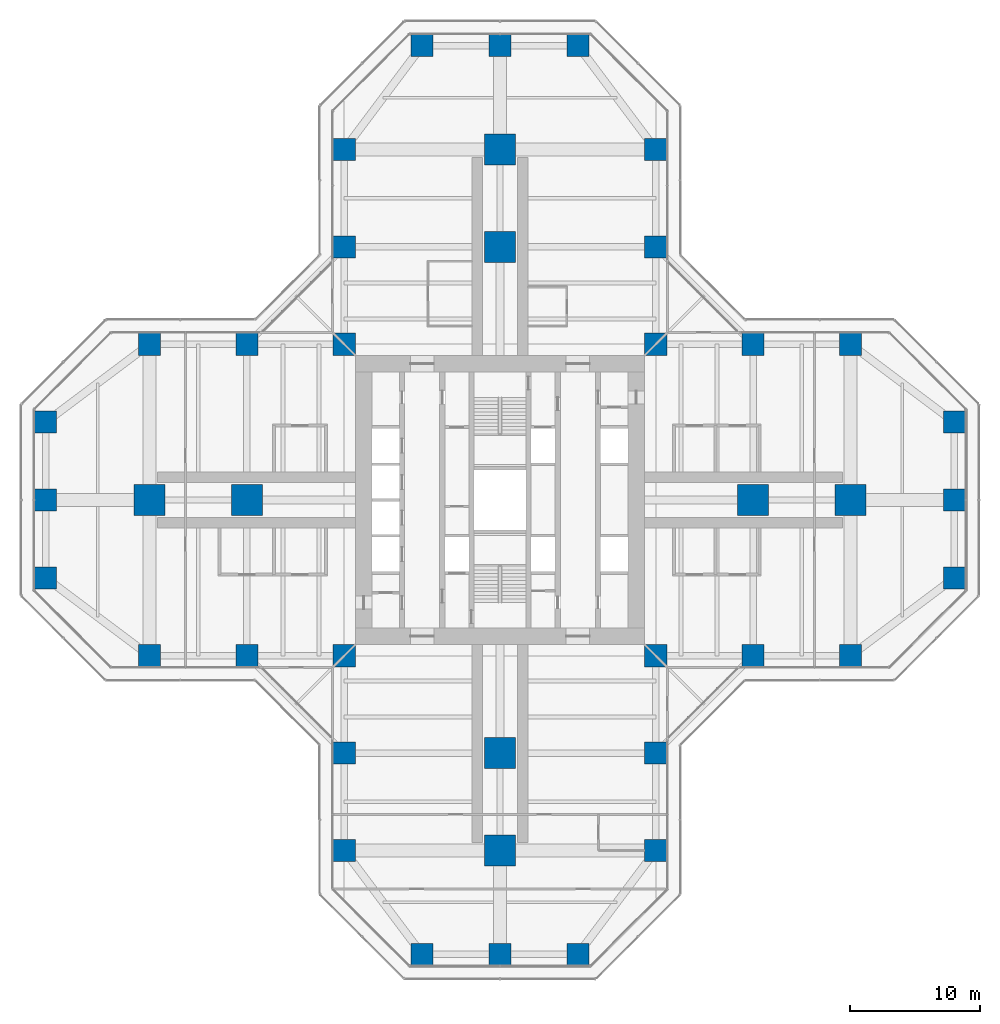
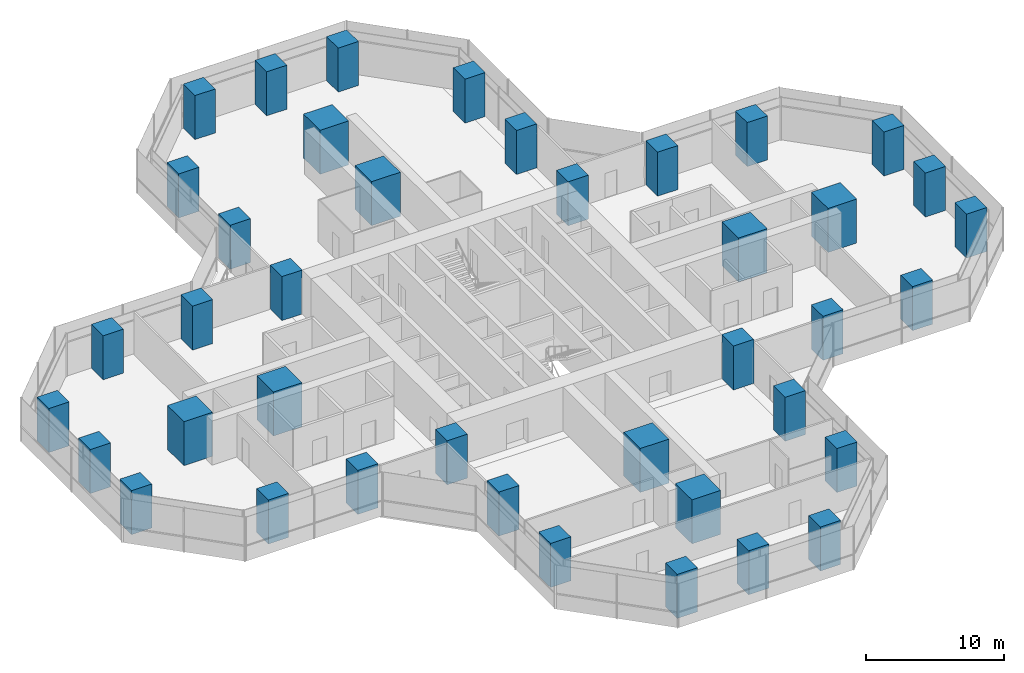
# One storey, part 1 of 22: 40 columns.
"""IFC4 building model written with IfcOpenShell, lengths in metres."""

from ifc_helpers import new_model, si_unit, direction, frame, origin, origin_2d, place, context, subcontext, project, spatial, rectangle, extrude, material, material_profile, profile_set, type_object, element, save


model = new_model("IFC4")

# Units and contexts
model_context = context("Model", 3, precision=1e-05, world=origin(), true_north=direction((0.0, 1.0)))
body_context = subcontext(model_context, "Body", "Model", "MODEL_VIEW")
ifc_project = project(units=[si_unit("LENGTHUNIT", "METRE"), si_unit("AREAUNIT", "SQUARE_METRE"), si_unit("VOLUMEUNIT", "CUBIC_METRE"), si_unit("PLANEANGLEUNIT", "RADIAN"), si_unit("MASSUNIT", "GRAM", prefix="KILO")], contexts=[model_context])

# Site, building, storey
site_placement = place(None, origin())
site = spatial("IfcSite", under=ifc_project, at=site_placement, CompositionType="ELEMENT")
building_placement = place(site_placement, origin())
building = spatial("IfcBuilding", under=site, at=building_placement, Name="Mizan Broadcast Tower", CompositionType="ELEMENT")
storey_placement = place(building_placement, frame((0.0, 0.0, 55.199951171875)))
storey = spatial("IfcBuildingStorey", under=building, at=storey_placement, Name="L10", CompositionType="ELEMENT", Elevation=55.199951171875)

# Columns
ifc_material_1 = material(Name="Concrete C70/85", Category="concrete")
ifc_material_profile_1 = material_profile(ifc_material_1, rectangle(XDim=1.699951171875, YDim=1.699951171875, at=origin_2d()), Name="RC 1700x1700")
ifc_profile_set_1 = profile_set([ifc_material_profile_1], Name="Concrete C70/85")
column_type_1 = type_object("IfcColumnType", Name="RC COLUMN 1700x1700 C70/85", PredefinedType="COLUMN", material=ifc_profile_set_1)
for number, where, z_axis, x_axis, name in (
    (1, (-6.0, -35.0, 0.0), (0.0, 0.0, 1.0), (1.0, 0.0, 0.0), "Column 5/A L10"),
    (2, (0.0, -35.0, 0.0), (0.0, 0.0, 1.0), (1.0, 0.0, 0.0), "Column 6/A L10"),
    (3, (6.0, -35.0, 0.0), (0.0, 0.0, 1.0), (1.0, 0.0, 0.0), "Column 7/A L10"),
    (4, (-12.0, -27.0, 0.0), (0.0, 0.0, 1.0), (1.0, 0.0, 0.0), "Column 4/B L10"),
    (5, (12.0, -27.0, 0.0), (0.0, 0.0, 1.0), (1.0, 0.0, 0.0), "Column 8/B L10"),
    (6, (-12.0, -19.5, 0.0), (0.0, 0.0, 1.0), (1.0, 0.0, 0.0), "Column 4/C L10"),
    (7, (12.0, -19.5, 0.0), (0.0, 0.0, 1.0), (1.0, 0.0, 0.0), "Column 8/C L10"),
    (8, (-27.0, -12.0, 0.0), (0.0, 0.0, 1.0), (1.0, 0.0, 0.0), "Column 2/D L10"),
    (9, (-19.5, -12.0, 0.0), (0.0, 0.0, 1.0), (1.0, 0.0, 0.0), "Column 3/D L10"),
    (10, (-12.0, -12.0, 0.0), (0.0, 0.0, 1.0), (1.0, 0.0, 0.0), "Column 4/D L10"),
    (11, (12.0, -12.0, 0.0), (0.0, 0.0, 1.0), (1.0, 0.0, 0.0), "Column 8/D L10"),
    (12, (19.5, -12.0, 0.0), (0.0, 0.0, 1.0), (1.0, 0.0, 0.0), "Column 9/D L10"),
    (13, (27.0, -12.0, 0.0), (0.0, 0.0, 1.0), (1.0, 0.0, 0.0), "Column 10/D L10"),
    (14, (-35.0, -6.0, 0.0), (0.0, 0.0, 1.0), (1.0, 0.0, 0.0), "Column 1/E L10"),
    (15, (35.0, -6.0, 0.0), (0.0, 0.0, 1.0), (1.0, 0.0, 0.0), "Column 11/E L10"),
    (16, (-35.0, 0.0, 0.0), (0.0, 0.0, 1.0), (1.0, 0.0, 0.0), "Column 1/F L10"),
    (17, (35.0, 0.0, 0.0), (0.0, 0.0, 1.0), (1.0, 0.0, 0.0), "Column 11/F L10"),
    (18, (-35.0, 6.0, 0.0), (0.0, 0.0, 1.0), (1.0, 0.0, 0.0), "Column 1/G L10"),
    (19, (35.0, 6.0, 0.0), (0.0, 0.0, 1.0), (1.0, 0.0, 0.0), "Column 11/G L10"),
    (20, (-27.0, 12.0, 0.0), (0.0, 0.0, 1.0), (1.0, 0.0, 0.0), "Column 2/H L10"),
    (21, (-19.5, 12.0, 0.0), (0.0, 0.0, 1.0), (1.0, 0.0, 0.0), "Column 3/H L10"),
    (22, (-12.0, 12.0, 0.0), (0.0, 0.0, 1.0), (1.0, 0.0, 0.0), "Column 4/H L10"),
    (23, (12.0, 12.0, 0.0), (0.0, 0.0, 1.0), (1.0, 0.0, 0.0), "Column 8/H L10"),
    (24, (19.5, 12.0, 0.0), (0.0, 0.0, 1.0), (1.0, 0.0, 0.0), "Column 9/H L10"),
    (25, (27.0, 12.0, 0.0), (0.0, 0.0, 1.0), (1.0, 0.0, 0.0), "Column 10/H L10"),
    (26, (-12.0, 19.5, 0.0), (0.0, 0.0, 1.0), (1.0, 0.0, 0.0), "Column 4/J L10"),
    (27, (12.0, 19.5, 0.0), (0.0, 0.0, 1.0), (1.0, 0.0, 0.0), "Column 8/J L10"),
    (28, (-12.0, 27.0, 0.0), (0.0, 0.0, 1.0), (1.0, 0.0, 0.0), "Column 4/K L10"),
    (29, (12.0, 27.0, 0.0), (0.0, 0.0, 1.0), (1.0, 0.0, 0.0), "Column 8/K L10"),
    (30, (-6.0, 35.0, 0.0), (0.0, 0.0, 1.0), (1.0, 0.0, 0.0), "Column 5/L L10"),
    (31, (0.0, 35.0, 0.0), (0.0, 0.0, 1.0), (1.0, 0.0, 0.0), "Column 6/L L10"),
    (32, (6.0, 35.0, 0.0), (0.0, 0.0, 1.0), (1.0, 0.0, 0.0), "Column 7/L L10"),
):
    element("IfcColumn", number, at=place(storey_placement, frame(where, z_axis=z_axis, x_axis=x_axis)), inside=storey, type_object=column_type_1, Name=name, PredefinedType="COLUMN", context=body_context, shape_type="SweptSolid", body=[
        extrude(rectangle(XDim=1.699951171875, YDim=1.699951171875, at=origin_2d()), origin(), (0.0, 0.0, 1.0), 3.900146484375),
    ])
ifc_material_2 = material(Name="Concrete C70/85", Category="concrete")
ifc_material_profile_2 = material_profile(ifc_material_2, rectangle(XDim=2.39990234375, YDim=2.39990234375, at=origin_2d()), Name="RC 2400x2400")
ifc_profile_set_2 = profile_set([ifc_material_profile_2], Name="Concrete C70/85")
column_type_2 = type_object("IfcColumnType", Name="RC COLUMN 2400x2400 C70/85", PredefinedType="COLUMN", material=ifc_profile_set_2)
for number, where, z_axis, x_axis, name in (
    (33, (0.0, -27.0, 0.0), (0.0, 0.0, 1.0), (1.0, 0.0, 0.0), "Column 6/B L10"),
    (34, (0.0, -19.5, 0.0), (0.0, 0.0, 1.0), (1.0, 0.0, 0.0), "Column 6/C L10"),
    (35, (-27.0, 0.0, 0.0), (0.0, 0.0, 1.0), (1.0, 0.0, 0.0), "Column 2/F L10"),
    (36, (-19.5, 0.0, 0.0), (0.0, 0.0, 1.0), (1.0, 0.0, 0.0), "Column 3/F L10"),
    (37, (19.5, 0.0, 0.0), (0.0, 0.0, 1.0), (1.0, 0.0, 0.0), "Column 9/F L10"),
    (38, (27.0, 0.0, 0.0), (0.0, 0.0, 1.0), (1.0, 0.0, 0.0), "Column 10/F L10"),
    (39, (0.0, 19.5, 0.0), (0.0, 0.0, 1.0), (1.0, 0.0, 0.0), "Column 6/J L10"),
    (40, (0.0, 27.0, 0.0), (0.0, 0.0, 1.0), (1.0, 0.0, 0.0), "Column 6/K L10"),
):
    element("IfcColumn", number, at=place(storey_placement, frame(where, z_axis=z_axis, x_axis=x_axis)), inside=storey, type_object=column_type_2, Name=name, PredefinedType="COLUMN", context=body_context, shape_type="SweptSolid", body=[
        extrude(rectangle(XDim=2.39990234375, YDim=2.39990234375, at=origin_2d()), origin(), (0.0, 0.0, 1.0), 3.900146484375),
    ])

save(model, "model.ifc")
